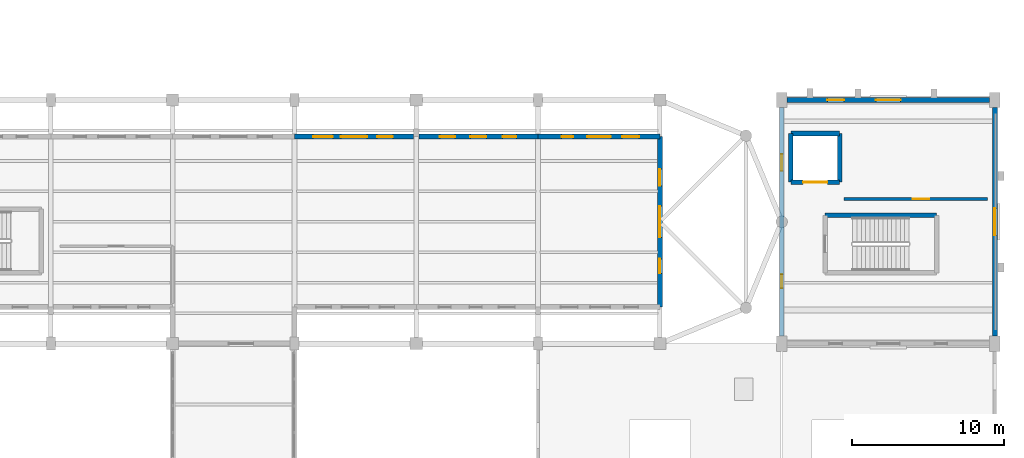
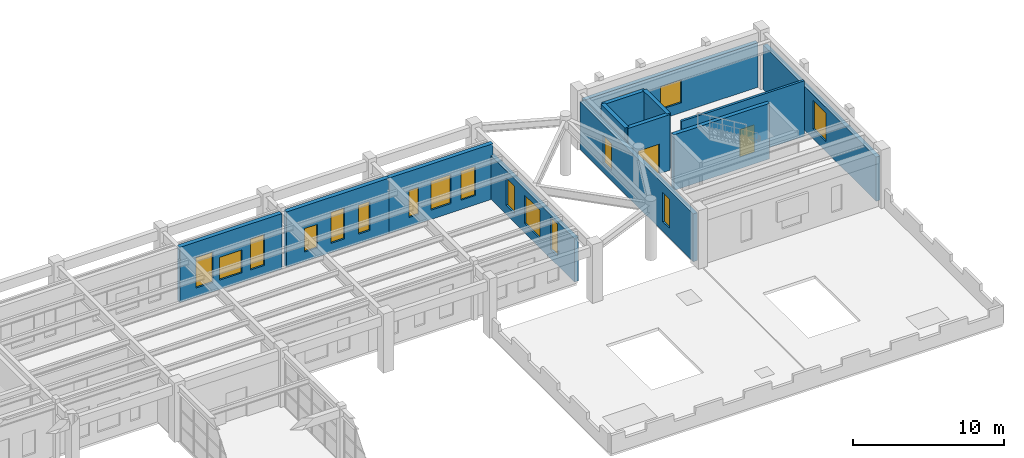
# One storey, part 47 of 59: 17 windows, 13 walls, 2 doors, 19 openings.
"""IFC4 building model written with IfcOpenShell, lengths in metres."""

from ifc_helpers import new_model, si_unit, direction, frame, frame_2d, origin, place, context, subcontext, project, spatial, rectangle, extrude, material, layer, layer_set, type_object, element, fill, save


model = new_model("IFC4")

# Units and contexts
model_context = context("Model", 3, precision=1e-05, world=origin(), true_north=direction((0.0, 1.0)))
body_context = subcontext(model_context, "Body", "Model", "MODEL_VIEW")
ifc_project = project(units=[si_unit("LENGTHUNIT", "METRE"), si_unit("AREAUNIT", "SQUARE_METRE"), si_unit("VOLUMEUNIT", "CUBIC_METRE"), si_unit("PLANEANGLEUNIT", "RADIAN"), si_unit("MASSUNIT", "GRAM", prefix="KILO")], contexts=[model_context])

# Site, building, storey
site_placement = place(None, origin())
site = spatial("IfcSite", under=ifc_project, at=site_placement, CompositionType="ELEMENT")
building_placement = place(site_placement, origin())
building = spatial("IfcBuilding", under=site, at=building_placement, Name="Serraluz Foothill Cableway Terminal", CompositionType="ELEMENT")
storey_placement = place(building_placement, frame((0.0, 0.0, 4.800048828125)))
storey = spatial("IfcBuildingStorey", under=building, at=storey_placement, Name="L01", CompositionType="ELEMENT", Elevation=4.800048828125)

# Wall, openings, windows
ifc_material_1 = material(Name="Dark clinker clay masonry brick (f'm 14 MPa)", Category="masonry")
ifc_layer_1 = layer(ifc_material_1, 0.320068359375, Name="Dark clinker clay masonry brick (f'm 14 MPa)", Category="masonry")
ifc_layer_set_1 = layer_set([ifc_layer_1], Name="Dark clinker clay masonry brick (f'm 14 MPa)")
wall_type_1 = type_object("IfcWallType", Name="TYP-WL-EXT-320", PredefinedType="STANDARD", material=ifc_layer_set_1)
wall_1_placement = place(storey_placement, frame((128.0, 69.60009765625, 0.0), z_axis=(0.0, 0.0, 1.0), x_axis=(1.0, 0.0, 0.0)))
wall_1 = element("IfcWall", 1, at=wall_1_placement, inside=storey, type_object=wall_type_1, Name="Exterior Masonry Wall EW-V1N-L01-128", PredefinedType="STANDARD", context=body_context, shape_type="SweptSolid", body=[
    extrude(rectangle(XDim=7.824951171875, YDim=0.320068359375, at=frame_2d((3.91259765625, 0.0))), origin(), (0.0, 0.0, 1.0), 4.474853515625),
])
opening_1_placement = place(wall_1_placement, frame((1.22802734375, 0.0, 0.75)))
opening_1 = element("IfcOpeningElement", 2, at=opening_1_placement, cuts=wall_1, Name="Opening W-40", PredefinedType="OPENING", context=body_context, shape_type="SweptSolid", body=[
    extrude(rectangle(XDim=1.300048828125, YDim=2.449951171875, at=frame_2d((0.64990234375, 1.22509765625))), frame((0.0, 0.169921875, 0.0), z_axis=(0.0, -1.0, 0.0), x_axis=(1.0, 0.0, 0.0)), (0.0, 0.0, 1.0), 0.340087890625),
])
opening_2_placement = place(wall_1_placement, frame((3.052001953125, 0.0, 0.75)))
opening_2 = element("IfcOpeningElement", 3, at=opening_2_placement, cuts=wall_1, Name="Opening W-35", PredefinedType="OPENING", context=body_context, shape_type="SweptSolid", body=[
    extrude(rectangle(XDim=1.720947265625, YDim=1.85009765625, at=frame_2d((0.8603515625, 0.925048828125))), frame((0.0, 0.169921875, 0.0), z_axis=(0.0, -1.0, 0.0), x_axis=(1.0, 0.0, 0.0)), (0.0, 0.0, 1.0), 0.340087890625),
])
opening_3_placement = place(wall_1_placement, frame((5.422119140625, 0.0, 0.75)))
opening_3 = element("IfcOpeningElement", 4, at=opening_3_placement, cuts=wall_1, Name="Opening W-38", PredefinedType="OPENING", context=body_context, shape_type="SweptSolid", body=[
    extrude(rectangle(XDim=1.050048828125, YDim=2.5, at=frame_2d((0.52490234375, 1.25))), frame((0.0, 0.169921875, 0.0), z_axis=(0.0, -1.0, 0.0), x_axis=(1.0, 0.0, 0.0)), (0.0, 0.0, 1.0), 0.340087890625),
])
ifc_material_2 = material(Name="Laminated low-E safety glass", Category="glass")
window_type_1 = type_object("IfcWindowType", Name="TYP-WN-105X250", PartitioningType="SINGLE_PANEL", PredefinedType="WINDOW", material=ifc_material_2)
window_1_placement = place(opening_3_placement, origin())
window_1 = element("IfcWindow", 5, at=window_1_placement, inside=storey, type_object=window_type_1, Name="Exterior Window EW-V1N-L01-128-WN3", OverallHeight=2.5, OverallWidth=1.050048828125, PartitioningType="SINGLE_PANEL", PredefinedType="WINDOW", context=body_context, shape_type="SweptSolid", body=[
    extrude(rectangle(XDim=1.050048828125, YDim=2.5, at=frame_2d((0.52490234375, 1.25))), frame((0.0, 0.030029296875, 0.0), z_axis=(0.0, -1.0, 0.0), x_axis=(1.0, 0.0, 0.0)), (0.0, 0.0, 1.0), 0.06005859375),
])
fill(opening_3, window_1)
window_type_2 = type_object("IfcWindowType", Name="TYP-WN-130X245", PartitioningType="DOUBLE_PANEL_VERTICAL", PredefinedType="WINDOW", material=ifc_material_2)
window_2_placement = place(opening_1_placement, origin())
window_2 = element("IfcWindow", 6, at=window_2_placement, inside=storey, type_object=window_type_2, Name="Exterior Window EW-V1N-L01-128-WN1", OverallHeight=2.449951171875, OverallWidth=1.300048828125, PartitioningType="SINGLE_PANEL", PredefinedType="WINDOW", context=body_context, shape_type="SweptSolid", body=[
    extrude(rectangle(XDim=1.300048828125, YDim=2.449951171875, at=frame_2d((0.64990234375, 1.22509765625))), frame((0.0, 0.030029296875, 0.0), z_axis=(0.0, -1.0, 0.0), x_axis=(1.0, 0.0, 0.0)), (0.0, 0.0, 1.0), 0.06005859375),
])
fill(opening_1, window_2)
window_type_3 = type_object("IfcWindowType", Name="TYP-WN-440X185", PartitioningType="TRIPLE_PANEL_VERTICAL", PredefinedType="WINDOW", material=ifc_material_2)
window_3_placement = place(opening_2_placement, origin())
window_3 = element("IfcWindow", 7, at=window_3_placement, inside=storey, type_object=window_type_3, Name="Exterior Window EW-V1N-L01-128-WN2", OverallHeight=1.85009765625, OverallWidth=1.720947265625, PartitioningType="SINGLE_PANEL", PredefinedType="WINDOW", context=body_context, shape_type="SweptSolid", body=[
    extrude(rectangle(XDim=1.720947265625, YDim=1.85009765625, at=frame_2d((0.8603515625, 0.925048828125))), frame((0.0, 0.030029296875, 0.0), z_axis=(0.0, -1.0, 0.0), x_axis=(1.0, 0.0, 0.0)), (0.0, 0.0, 1.0), 0.06005859375),
])
fill(opening_2, window_3)

wall_2_placement = place(storey_placement, frame((136.175048828125, 69.60009765625, 0.0), z_axis=(0.0, 0.0, 1.0), x_axis=(1.0, 0.0, 0.0)))
wall_2 = element("IfcWall", 8, at=wall_2_placement, inside=storey, type_object=wall_type_1, Name="Exterior Masonry Wall EW-V1N-L01-136", PredefinedType="STANDARD", context=body_context, shape_type="SweptSolid", body=[
    extrude(rectangle(XDim=7.824951171875, YDim=0.320068359375, at=frame_2d((3.91259765625, 0.0))), origin(), (0.0, 0.0, 1.0), 4.474853515625),
])
opening_4_placement = place(wall_2_placement, frame((1.3779296875, 0.0, 0.75)))
opening_4 = element("IfcOpeningElement", 9, at=opening_4_placement, cuts=wall_2, Name="Opening W-24", PredefinedType="OPENING", context=body_context, shape_type="SweptSolid", body=[
    extrude(rectangle(XDim=1.0, YDim=1.89990234375, at=frame_2d((0.5, 0.949951171875))), frame((0.0, 0.169921875, 0.0), z_axis=(0.0, -1.0, 0.0), x_axis=(1.0, 0.0, 0.0)), (0.0, 0.0, 1.0), 0.340087890625),
])
opening_5_placement = place(wall_2_placement, frame((3.387451171875, 0.0, 0.75)))
opening_5 = element("IfcOpeningElement", 10, at=opening_5_placement, cuts=wall_2, Name="Opening W-38", PredefinedType="OPENING", context=body_context, shape_type="SweptSolid", body=[
    extrude(rectangle(XDim=1.050048828125, YDim=2.5, at=frame_2d((0.52490234375, 1.25))), frame((0.0, 0.169921875, 0.0), z_axis=(0.0, -1.0, 0.0), x_axis=(1.0, 0.0, 0.0)), (0.0, 0.0, 1.0), 0.340087890625),
])
opening_6_placement = place(wall_2_placement, frame((5.4970703125, 0.0, 0.75)))
opening_6 = element("IfcOpeningElement", 11, at=opening_6_placement, cuts=wall_2, Name="Opening W-37", PredefinedType="OPENING", context=body_context, shape_type="SweptSolid", body=[
    extrude(rectangle(XDim=0.89990234375, YDim=2.35009765625, at=frame_2d((0.449951171875, 1.175048828125))), frame((0.0, 0.169921875, 0.0), z_axis=(0.0, -1.0, 0.0), x_axis=(1.0, 0.0, 0.0)), (0.0, 0.0, 1.0), 0.340087890625),
])
window_type_4 = type_object("IfcWindowType", Name="TYP-WN-090X235", PartitioningType="SINGLE_PANEL", PredefinedType="WINDOW", material=ifc_material_2)
window_4_placement = place(opening_6_placement, origin())
window_4 = element("IfcWindow", 12, at=window_4_placement, inside=storey, type_object=window_type_4, Name="Exterior Window EW-V1N-L01-136-WN3", OverallHeight=2.35009765625, OverallWidth=0.89990234375, PartitioningType="SINGLE_PANEL", PredefinedType="WINDOW", context=body_context, shape_type="SweptSolid", body=[
    extrude(rectangle(XDim=0.89990234375, YDim=2.35009765625, at=frame_2d((0.449951171875, 1.175048828125))), frame((0.0, 0.030029296875, 0.0), z_axis=(0.0, -1.0, 0.0), x_axis=(1.0, 0.0, 0.0)), (0.0, 0.0, 1.0), 0.06005859375),
])
fill(opening_6, window_4)
window_type_5 = type_object("IfcWindowType", Name="TYP-WN-100X190", PartitioningType="SINGLE_PANEL", PredefinedType="WINDOW", material=ifc_material_2)
window_5_placement = place(opening_4_placement, origin())
window_5 = element("IfcWindow", 13, at=window_5_placement, inside=storey, type_object=window_type_5, Name="Exterior Window EW-V1N-L01-136-WN1", OverallHeight=1.89990234375, OverallWidth=1.0, PartitioningType="SINGLE_PANEL", PredefinedType="WINDOW", context=body_context, shape_type="SweptSolid", body=[
    extrude(rectangle(XDim=1.0, YDim=1.89990234375, at=frame_2d((0.5, 0.949951171875))), frame((0.0, 0.030029296875, 0.0), z_axis=(0.0, -1.0, 0.0), x_axis=(1.0, 0.0, 0.0)), (0.0, 0.0, 1.0), 0.06005859375),
])
fill(opening_4, window_5)
window_6_placement = place(opening_5_placement, origin())
window_6 = element("IfcWindow", 14, at=window_6_placement, inside=storey, type_object=window_type_1, Name="Exterior Window EW-V1N-L01-136-WN2", OverallHeight=2.5, OverallWidth=1.050048828125, PartitioningType="SINGLE_PANEL", PredefinedType="WINDOW", context=body_context, shape_type="SweptSolid", body=[
    extrude(rectangle(XDim=1.050048828125, YDim=2.5, at=frame_2d((0.52490234375, 1.25))), frame((0.0, 0.030029296875, 0.0), z_axis=(0.0, -1.0, 0.0), x_axis=(1.0, 0.0, 0.0)), (0.0, 0.0, 1.0), 0.06005859375),
])
fill(opening_5, window_6)

wall_3_placement = place(storey_placement, frame((144.0, 69.60009765625, 0.0), z_axis=(0.0, 0.0, 1.0), x_axis=(1.0, 0.0, 0.0)))
wall_3 = element("IfcWall", 15, at=wall_3_placement, inside=storey, type_object=wall_type_1, Name="Exterior Masonry Wall EW-V1N-L01-144", PredefinedType="STANDARD", context=body_context, shape_type="SweptSolid", body=[
    extrude(rectangle(XDim=8.0, YDim=0.320068359375, at=frame_2d((4.0, 0.0))), origin(), (0.0, 0.0, 1.0), 4.474853515625),
])
opening_7_placement = place(wall_3_placement, frame((1.544921875, 0.0, 0.75)))
opening_7 = element("IfcOpeningElement", 16, at=opening_7_placement, cuts=wall_3, Name="Opening W-01", PredefinedType="OPENING", context=body_context, shape_type="SweptSolid", body=[
    extrude(rectangle(XDim=0.75, YDim=2.199951171875, at=frame_2d((0.375, 1.10009765625))), frame((0.0, 0.169921875, 0.0), z_axis=(0.0, -1.0, 0.0), x_axis=(1.0, 0.0, 0.0)), (0.0, 0.0, 1.0), 0.340087890625),
])
opening_8_placement = place(wall_3_placement, frame((3.22509765625, 0.0, 0.75)))
opening_8 = element("IfcOpeningElement", 17, at=opening_8_placement, cuts=wall_3, Name="Opening W-42", PredefinedType="OPENING", context=body_context, shape_type="SweptSolid", body=[
    extrude(rectangle(XDim=1.550048828125, YDim=2.35009765625, at=frame_2d((0.77490234375, 1.175048828125))), frame((0.0, 0.169921875, 0.0), z_axis=(0.0, -1.0, 0.0), x_axis=(1.0, 0.0, 0.0)), (0.0, 0.0, 1.0), 0.340087890625),
])
opening_9_placement = place(wall_3_placement, frame((5.52001953125, 0.0, 0.75)))
opening_9 = element("IfcOpeningElement", 18, at=opening_9_placement, cuts=wall_3, Name="Opening W-50", PredefinedType="OPENING", context=body_context, shape_type="SweptSolid", body=[
    extrude(rectangle(XDim=1.1201171875, YDim=2.35009765625, at=frame_2d((0.56005859375, 1.175048828125))), frame((0.0, 0.169921875, 0.0), z_axis=(0.0, -1.0, 0.0), x_axis=(1.0, 0.0, 0.0)), (0.0, 0.0, 1.0), 0.340087890625),
])
window_type_6 = type_object("IfcWindowType", Name="TYP-WN-075X220", PartitioningType="SINGLE_PANEL", PredefinedType="WINDOW", material=ifc_material_2)
window_7_placement = place(opening_7_placement, origin())
window_7 = element("IfcWindow", 19, at=window_7_placement, inside=storey, type_object=window_type_6, Name="Exterior Window EW-V1N-L01-144-WN1", OverallHeight=2.199951171875, OverallWidth=0.75, PartitioningType="SINGLE_PANEL", PredefinedType="WINDOW", context=body_context, shape_type="SweptSolid", body=[
    extrude(rectangle(XDim=0.75, YDim=2.199951171875, at=frame_2d((0.375, 1.10009765625))), frame((0.0, 0.030029296875, 0.0), z_axis=(0.0, -1.0, 0.0), x_axis=(1.0, 0.0, 0.0)), (0.0, 0.0, 1.0), 0.06005859375),
])
fill(opening_7, window_7)
window_type_7 = type_object("IfcWindowType", Name="TYP-WN-112X235", PartitioningType="SINGLE_PANEL", PredefinedType="WINDOW", material=ifc_material_2)
window_8_placement = place(opening_9_placement, origin())
window_8 = element("IfcWindow", 20, at=window_8_placement, inside=storey, type_object=window_type_7, Name="Exterior Window EW-V1N-L01-144-WN3", OverallHeight=2.35009765625, OverallWidth=1.1201171875, PartitioningType="SINGLE_PANEL", PredefinedType="WINDOW", context=body_context, shape_type="SweptSolid", body=[
    extrude(rectangle(XDim=1.1201171875, YDim=2.35009765625, at=frame_2d((0.56005859375, 1.175048828125))), frame((0.0, 0.030029296875, 0.0), z_axis=(0.0, -1.0, 0.0), x_axis=(1.0, 0.0, 0.0)), (0.0, 0.0, 1.0), 0.06005859375),
])
fill(opening_9, window_8)
window_type_8 = type_object("IfcWindowType", Name="TYP-WN-155X235", PartitioningType="DOUBLE_PANEL_VERTICAL", PredefinedType="WINDOW", material=ifc_material_2)
window_9_placement = place(opening_8_placement, origin())
window_9 = element("IfcWindow", 21, at=window_9_placement, inside=storey, type_object=window_type_8, Name="Exterior Window EW-V1N-L01-144-WN2", OverallHeight=2.35009765625, OverallWidth=1.550048828125, PartitioningType="SINGLE_PANEL", PredefinedType="WINDOW", context=body_context, shape_type="SweptSolid", body=[
    extrude(rectangle(XDim=1.550048828125, YDim=2.35009765625, at=frame_2d((0.77490234375, 1.175048828125))), frame((0.0, 0.030029296875, 0.0), z_axis=(0.0, -1.0, 0.0), x_axis=(1.0, 0.0, 0.0)), (0.0, 0.0, 1.0), 0.06005859375),
])
fill(opening_8, window_9)

wall_4_placement = place(storey_placement, frame((152.0, 69.60009765625, 0.0), z_axis=(0.0, 0.0, 1.0), x_axis=(0.0, -1.0, 0.0)))
wall_4 = element("IfcWall", 22, at=wall_4_placement, inside=storey, type_object=wall_type_1, Name="Exterior Masonry Wall EW-V1E-L01-PORTAL", PredefinedType="STANDARD", context=body_context, shape_type="SweptSolid", body=[
    extrude(rectangle(XDim=11.2001953125, YDim=0.320068359375, at=frame_2d((5.60009765625, 0.0))), origin(), (0.0, 0.0, 1.0), 3.5478515625),
])
opening_10_placement = place(wall_4_placement, frame((2.137939453125, 0.0, 0.75)))
opening_10 = element("IfcOpeningElement", 23, at=opening_10_placement, cuts=wall_4, Name="Opening W-04", PredefinedType="OPENING", context=body_context, shape_type="SweptSolid", body=[
    extrude(rectangle(XDim=1.10009765625, YDim=2.199951171875, at=frame_2d((0.550048828125, 1.10009765625))), frame((0.0, 0.169921875, 0.0), z_axis=(0.0, -1.0, 0.0), x_axis=(1.0, 0.0, 0.0)), (0.0, 0.0, 1.0), 0.340087890625),
])
opening_11_placement = place(wall_4_placement, frame((4.574951171875, 0.0, 0.75)))
opening_11 = element("IfcOpeningElement", 24, at=opening_11_placement, cuts=wall_4, Name="Opening W-45", PredefinedType="OPENING", context=body_context, shape_type="SweptSolid", body=[
    extrude(rectangle(XDim=2.050048828125, YDim=2.300048828125, at=frame_2d((1.02490234375, 1.14990234375))), frame((0.0, 0.169921875, 0.0), z_axis=(0.0, -1.0, 0.0), x_axis=(1.0, 0.0, 0.0)), (0.0, 0.0, 1.0), 0.340087890625),
])
opening_12_placement = place(wall_4_placement, frame((8.037109375, 0.0, 0.75)))
opening_12 = element("IfcOpeningElement", 25, at=opening_12_placement, cuts=wall_4, Name="Opening W-03", PredefinedType="OPENING", context=body_context, shape_type="SweptSolid", body=[
    extrude(rectangle(XDim=0.949951171875, YDim=2.60009765625, at=frame_2d((0.47509765625, 1.300048828125))), frame((0.0, 0.169921875, 0.0), z_axis=(0.0, -1.0, 0.0), x_axis=(1.0, 0.0, 0.0)), (0.0, 0.0, 1.0), 0.340087890625),
])
window_type_9 = type_object("IfcWindowType", Name="TYP-WN-095X260", PartitioningType="SINGLE_PANEL", PredefinedType="WINDOW", material=ifc_material_2)
window_10_placement = place(opening_12_placement, origin())
window_10 = element("IfcWindow", 26, at=window_10_placement, inside=storey, type_object=window_type_9, Name="Exterior Window EW-V1E-L01-PORTAL-WN3", OverallHeight=2.60009765625, OverallWidth=0.949951171875, PartitioningType="SINGLE_PANEL", PredefinedType="WINDOW", context=body_context, shape_type="SweptSolid", body=[
    extrude(rectangle(XDim=0.949951171875, YDim=2.60009765625, at=frame_2d((0.47509765625, 1.300048828125))), frame((0.0, 0.030029296875, 0.0), z_axis=(0.0, -1.0, 0.0), x_axis=(1.0, 0.0, 0.0)), (0.0, 0.0, 1.0), 0.06005859375),
])
fill(opening_12, window_10)
window_type_10 = type_object("IfcWindowType", Name="TYP-WN-110X220", PartitioningType="SINGLE_PANEL", PredefinedType="WINDOW", material=ifc_material_2)
window_11_placement = place(opening_10_placement, origin())
window_11 = element("IfcWindow", 27, at=window_11_placement, inside=storey, type_object=window_type_10, Name="Exterior Window EW-V1E-L01-PORTAL-WN1", OverallHeight=2.199951171875, OverallWidth=1.10009765625, PartitioningType="SINGLE_PANEL", PredefinedType="WINDOW", context=body_context, shape_type="SweptSolid", body=[
    extrude(rectangle(XDim=1.10009765625, YDim=2.199951171875, at=frame_2d((0.550048828125, 1.10009765625))), frame((0.0, 0.030029296875, 0.0), z_axis=(0.0, -1.0, 0.0), x_axis=(1.0, 0.0, 0.0)), (0.0, 0.0, 1.0), 0.06005859375),
])
fill(opening_10, window_11)
window_type_11 = type_object("IfcWindowType", Name="TYP-WN-205X230", PartitioningType="TRIPLE_PANEL_VERTICAL", PredefinedType="WINDOW", material=ifc_material_2)
window_12_placement = place(opening_11_placement, origin())
window_12 = element("IfcWindow", 28, at=window_12_placement, inside=storey, type_object=window_type_11, Name="Exterior Window EW-V1E-L01-PORTAL-WN2", OverallHeight=2.300048828125, OverallWidth=2.050048828125, PartitioningType="SINGLE_PANEL", PredefinedType="WINDOW", context=body_context, shape_type="SweptSolid", body=[
    extrude(rectangle(XDim=2.050048828125, YDim=2.300048828125, at=frame_2d((1.02490234375, 1.14990234375))), frame((0.0, 0.030029296875, 0.0), z_axis=(0.0, -1.0, 0.0), x_axis=(1.0, 0.0, 0.0)), (0.0, 0.0, 1.0), 0.06005859375),
])
fill(opening_11, window_12)

wall_5_placement = place(storey_placement, frame((160.0, 56.5, 0.0), z_axis=(0.0, 0.0, 1.0), x_axis=(0.0, 1.0, 0.0)))
wall_5 = element("IfcWall", 29, at=wall_5_placement, inside=storey, type_object=wall_type_1, Name="Exterior Masonry Wall EW-V2-L01-05", PredefinedType="STANDARD", context=body_context, shape_type="SweptSolid", body=[
    extrude(rectangle(XDim=15.0, YDim=0.320068359375, at=frame_2d((7.5, 0.0))), origin(), (0.0, 0.0, 1.0), 3.884033203125),
])
opening_13_placement = place(wall_5_placement, frame((3.14990234375, 0.0, 0.800048828125)))
opening_13 = element("IfcOpeningElement", 30, at=opening_13_placement, cuts=wall_5, Name="Opening W-37", PredefinedType="OPENING", context=body_context, shape_type="SweptSolid", body=[
    extrude(rectangle(XDim=0.89990234375, YDim=2.35009765625, at=frame_2d((0.449951171875, 1.175048828125))), frame((0.0, 0.169921875, 0.0), z_axis=(0.0, -1.0, 0.0), x_axis=(1.0, 0.0, 0.0)), (0.0, 0.0, 1.0), 0.340087890625),
])
opening_14_placement = place(wall_5_placement, frame((10.85009765625, 0.0, 0.800048828125)))
opening_14 = element("IfcOpeningElement", 31, at=opening_14_placement, cuts=wall_5, Name="Opening W-04", PredefinedType="OPENING", context=body_context, shape_type="SweptSolid", body=[
    extrude(rectangle(XDim=1.10009765625, YDim=2.199951171875, at=frame_2d((0.550048828125, 1.10009765625))), frame((0.0, 0.169921875, 0.0), z_axis=(0.0, -1.0, 0.0), x_axis=(1.0, 0.0, 0.0)), (0.0, 0.0, 1.0), 0.340087890625),
])
window_13_placement = place(opening_13_placement, origin())
window_13 = element("IfcWindow", 32, at=window_13_placement, inside=storey, type_object=window_type_4, Name="Exterior Window EW-V2-L01-05-WN1", OverallHeight=2.35009765625, OverallWidth=0.89990234375, PartitioningType="SINGLE_PANEL", PredefinedType="WINDOW", context=body_context, shape_type="SweptSolid", body=[
    extrude(rectangle(XDim=0.89990234375, YDim=2.35009765625, at=frame_2d((0.449951171875, 1.175048828125))), frame((0.0, 0.030029296875, 0.0), z_axis=(0.0, -1.0, 0.0), x_axis=(1.0, 0.0, 0.0)), (0.0, 0.0, 1.0), 0.06005859375),
])
fill(opening_13, window_13)
window_14_placement = place(opening_14_placement, origin())
window_14 = element("IfcWindow", 33, at=window_14_placement, inside=storey, type_object=window_type_10, Name="Exterior Window EW-V2-L01-05-WN3", OverallHeight=2.199951171875, OverallWidth=1.10009765625, PartitioningType="SINGLE_PANEL", PredefinedType="WINDOW", context=body_context, shape_type="SweptSolid", body=[
    extrude(rectangle(XDim=1.10009765625, YDim=2.199951171875, at=frame_2d((0.550048828125, 1.10009765625))), frame((0.0, 0.030029296875, 0.0), z_axis=(0.0, -1.0, 0.0), x_axis=(1.0, 0.0, 0.0)), (0.0, 0.0, 1.0), 0.06005859375),
])
fill(opening_14, window_14)

wall_6_placement = place(storey_placement, frame((160.35009765625, 72.0, 0.0), z_axis=(0.0, 0.0, 1.0), x_axis=(1.0, 0.0, 0.0)))
wall_6 = element("IfcWall", 34, at=wall_6_placement, inside=storey, type_object=wall_type_1, Name="Exterior Masonry Wall EW-V2-L01-10", PredefinedType="STANDARD", context=body_context, shape_type="SweptSolid", body=[
    extrude(rectangle(XDim=13.2998046875, YDim=0.320068359375, at=frame_2d((6.64990234375, 0.0))), origin(), (0.0, 0.0, 1.0), 3.599853515625),
])
opening_15_placement = place(wall_6_placement, frame((2.64208984375, 0.0, 0.800048828125)))
opening_15 = element("IfcOpeningElement", 35, at=opening_15_placement, cuts=wall_6, Name="Opening W-04", PredefinedType="OPENING", context=body_context, shape_type="SweptSolid", body=[
    extrude(rectangle(XDim=1.10009765625, YDim=2.199951171875, at=frame_2d((0.550048828125, 1.10009765625))), frame((0.0, 0.169921875, 0.0), z_axis=(0.0, -1.0, 0.0), x_axis=(1.0, 0.0, 0.0)), (0.0, 0.0, 1.0), 0.340087890625),
])
opening_16_placement = place(wall_6_placement, frame((5.840087890625, 0.0, 0.800048828125)))
opening_16 = element("IfcOpeningElement", 36, at=opening_16_placement, cuts=wall_6, Name="Opening W-54", PredefinedType="OPENING", context=body_context, shape_type="SweptSolid", body=[
    extrude(rectangle(XDim=1.6201171875, YDim=1.85009765625, at=frame_2d((0.81005859375, 0.925048828125))), frame((0.0, 0.169921875, 0.0), z_axis=(0.0, -1.0, 0.0), x_axis=(1.0, 0.0, 0.0)), (0.0, 0.0, 1.0), 0.340087890625),
])
window_15_placement = place(opening_15_placement, origin())
window_15 = element("IfcWindow", 37, at=window_15_placement, inside=storey, type_object=window_type_10, Name="Exterior Window EW-V2-L01-10-WN1", OverallHeight=2.199951171875, OverallWidth=1.10009765625, PartitioningType="SINGLE_PANEL", PredefinedType="WINDOW", context=body_context, shape_type="SweptSolid", body=[
    extrude(rectangle(XDim=1.10009765625, YDim=2.199951171875, at=frame_2d((0.550048828125, 1.10009765625))), frame((0.0, 0.030029296875, 0.0), z_axis=(0.0, -1.0, 0.0), x_axis=(1.0, 0.0, 0.0)), (0.0, 0.0, 1.0), 0.06005859375),
])
fill(opening_15, window_15)
window_type_12 = type_object("IfcWindowType", Name="TYP-WN-162X185", PartitioningType="DOUBLE_PANEL_VERTICAL", PredefinedType="WINDOW", material=ifc_material_2)
window_16_placement = place(opening_16_placement, origin())
window_16 = element("IfcWindow", 38, at=window_16_placement, inside=storey, type_object=window_type_12, Name="Exterior Window EW-V2-L01-10-WN2", OverallHeight=1.85009765625, OverallWidth=1.6201171875, PartitioningType="SINGLE_PANEL", PredefinedType="WINDOW", context=body_context, shape_type="SweptSolid", body=[
    extrude(rectangle(XDim=1.6201171875, YDim=1.85009765625, at=frame_2d((0.81005859375, 0.925048828125))), frame((0.0, 0.030029296875, 0.0), z_axis=(0.0, -1.0, 0.0), x_axis=(1.0, 0.0, 0.0)), (0.0, 0.0, 1.0), 0.06005859375),
])
fill(opening_16, window_16)

# Wall, opening, window
wall_7_placement = place(storey_placement, frame((174.0, 71.5, 0.0), z_axis=(0.0, 0.0, 1.0), x_axis=(0.0, -1.0, 0.0)))
wall_7 = element("IfcWall", 39, at=wall_7_placement, inside=storey, type_object=wall_type_1, Name="Exterior Masonry Wall EW-V2-L01-11", PredefinedType="STANDARD", context=body_context, shape_type="SweptSolid", body=[
    extrude(rectangle(XDim=15.0, YDim=0.320068359375, at=frame_2d((7.5, 0.0))), origin(), (0.0, 0.0, 1.0), 3.572998046875),
])
opening_17_placement = place(wall_7_placement, frame((6.610107421875, 0.0, 0.800048828125)))
opening_17 = element("IfcOpeningElement", 40, at=opening_17_placement, cuts=wall_7, Name="Opening W-55", PredefinedType="OPENING", context=body_context, shape_type="SweptSolid", body=[
    extrude(rectangle(XDim=1.780029296875, YDim=2.300048828125, at=frame_2d((0.89013671875, 1.14990234375))), frame((0.0, 0.169921875, 0.0), z_axis=(0.0, -1.0, 0.0), x_axis=(1.0, 0.0, 0.0)), (0.0, 0.0, 1.0), 0.340087890625),
])
window_type_13 = type_object("IfcWindowType", Name="TYP-WN-178X230", PartitioningType="DOUBLE_PANEL_VERTICAL", PredefinedType="WINDOW", material=ifc_material_2)
window_17_placement = place(opening_17_placement, origin())
window_17 = element("IfcWindow", 41, at=window_17_placement, inside=storey, type_object=window_type_13, Name="Exterior Window EW-V2-L01-11-WN2", OverallHeight=2.300048828125, OverallWidth=1.780029296875, PartitioningType="SINGLE_PANEL", PredefinedType="WINDOW", context=body_context, shape_type="SweptSolid", body=[
    extrude(rectangle(XDim=1.780029296875, YDim=2.300048828125, at=frame_2d((0.89013671875, 1.14990234375))), frame((0.0, 0.030029296875, 0.0), z_axis=(0.0, -1.0, 0.0), x_axis=(1.0, 0.0, 0.0)), (0.0, 0.0, 1.0), 0.06005859375),
])
fill(opening_17, window_17)

# Wall, opening, door
ifc_material_3 = material(Name="Fired clay masonry brick (f'm 12 MPa)", Category="masonry")
ifc_layer_2 = layer(ifc_material_3, 0.179931640625, Name="Fired clay masonry brick (f'm 12 MPa)", Category="masonry")
ifc_layer_set_2 = layer_set([ifc_layer_2], Name="Fired clay masonry brick (f'm 12 MPa)")
wall_type_2 = type_object("IfcWallType", Name="TYP-WL-PRT-180", PredefinedType="PARTITIONING", material=ifc_layer_set_2)
wall_8_placement = place(storey_placement, frame((164.10009765625, 65.5, 0.0), z_axis=(0.0, 0.0, 1.0), x_axis=(1.0, 0.0, 0.0)))
wall_8 = element("IfcWall", 42, at=wall_8_placement, inside=storey, type_object=wall_type_2, Name="Interior Partition PT-L01-V2P", PredefinedType="PARTITIONING", context=body_context, shape_type="SweptSolid", body=[
    extrude(rectangle(XDim=9.39990234375, YDim=0.179931640625, at=frame_2d((4.699951171875, 0.0))), origin(), (0.0, 0.0, 1.0), 4.47998046875),
])
opening_18_placement = place(wall_8_placement, frame((4.5, 0.0, 0.0)))
opening_18 = element("IfcOpeningElement", 43, at=opening_18_placement, cuts=wall_8, Name="Opening DF-03", PredefinedType="OPENING", context=body_context, shape_type="SweptSolid", body=[
    extrude(rectangle(XDim=1.10009765625, YDim=2.199951171875, at=frame_2d((0.550048828125, 1.10009765625))), frame((0.0, 0.10009765625, 0.0), z_axis=(0.0, -1.0, 0.0), x_axis=(1.0, 0.0, 0.0)), (0.0, 0.0, 1.0), 0.199951171875),
])
ifc_material_4 = material(Name="Galvanized hollow-metal steel sheet", Category="steel")
door_type_1 = type_object("IfcDoorType", Name="TYP-DR-FD30-1100", OperationType="NOTDEFINED", PredefinedType="DOOR", material=ifc_material_4)
door_1_placement = place(opening_18_placement, origin())
door_1 = element("IfcDoor", 44, at=door_1_placement, inside=storey, type_object=door_type_1, Name="Interior Door PT-L01-V2P-DR1", OperationType="SINGLE_SWING_LEFT", OverallHeight=2.199951171875, OverallWidth=1.10009765625, PredefinedType="DOOR", context=body_context, shape_type="SweptSolid", body=[
    extrude(rectangle(XDim=1.10009765625, YDim=2.199951171875, at=frame_2d((0.550048828125, 1.10009765625))), frame((0.0, 0.02490234375, 0.0), z_axis=(0.0, -1.0, 0.0), x_axis=(1.0, 0.0, 0.0)), (0.0, 0.0, 1.0), 0.050048828125),
])
fill(opening_18, door_1)

# Wall
ifc_material_5 = material(Name="Concrete C35/45 (f'c 35 MPa)", Category="concrete")
ifc_layer_3 = layer(ifc_material_5, 0.300048828125, Name="Concrete C35/45 (f'c 35 MPa)", Category="concrete")
ifc_layer_set_3 = layer_set([ifc_layer_3], Name="Concrete C35/45 (f'c 35 MPa)")
wall_type_3 = type_object("IfcWallType", Name="TYP-WL-SHR-350", PredefinedType="SHEAR", material=ifc_layer_set_3)
wall_9_placement = place(storey_placement, frame((162.85009765625, 64.429931640625, 0.0), z_axis=(0.0, 0.0, 1.0), x_axis=(1.0, 0.0, 0.0)))
element("IfcWall", 45, at=wall_9_placement, inside=storey, type_object=wall_type_3, Name="Stair Core Shear Wall CW-ST-05-L01-N", PredefinedType="SHEAR", context=body_context, shape_type="SweptSolid", body=[
    extrude(rectangle(XDim=7.324951171875, YDim=0.300048828125, at=frame_2d((3.66259765625, 0.0))), origin(), (0.0, 0.0, 1.0), 4.5),
])

# Wall, opening, door
wall_10_placement = place(storey_placement, frame((163.800048828125, 66.60009765625, 0.0), z_axis=(0.0, 0.0, 1.0), x_axis=(-1.0, 0.0, 0.0)))
wall_10 = element("IfcWall", 46, at=wall_10_placement, inside=storey, type_object=wall_type_3, Name="Lift Shaft Shear Wall LW-LF-05-L01-S", PredefinedType="SHEAR", context=body_context, shape_type="SweptSolid", body=[
    extrude(rectangle(XDim=3.199951171875, YDim=0.300048828125, at=frame_2d((1.60009765625, 0.0))), origin(), (0.0, 0.0, 1.0), 4.5),
])
opening_19_placement = place(wall_10_placement, frame((0.800048828125, 0.0, 0.0)))
opening_19 = element("IfcOpeningElement", 47, at=opening_19_placement, cuts=wall_10, Name="Opening LD-03", PredefinedType="OPENING", context=body_context, shape_type="SweptSolid", body=[
    extrude(rectangle(XDim=1.60009765625, YDim=2.39990234375, at=frame_2d((0.800048828125, 1.199951171875))), frame((0.0, 0.16015625, 0.0), z_axis=(0.0, -1.0, 0.0), x_axis=(1.0, 0.0, 0.0)), (0.0, 0.0, 1.0), 0.320068359375),
])
door_type_2 = type_object("IfcDoorType", Name="TYP-DR-LD-1600", OperationType="DOUBLE_DOOR_SLIDING", PredefinedType="DOOR", material=ifc_material_4)
door_2_placement = place(opening_19_placement, origin())
door_2 = element("IfcDoor", 48, at=door_2_placement, inside=storey, type_object=door_type_2, Name="Lift Sliding Landing Door LF-05 L01", OperationType="DOUBLE_DOOR_SLIDING", OverallHeight=2.39990234375, OverallWidth=1.60009765625, PredefinedType="DOOR", context=body_context, shape_type="SweptSolid", body=[
    extrude(rectangle(XDim=1.60009765625, YDim=2.39990234375, at=frame_2d((0.800048828125, 1.199951171875))), frame((0.0, 0.02490234375, 0.0), z_axis=(0.0, -1.0, 0.0), x_axis=(1.0, 0.0, 0.0)), (0.0, 0.0, 1.0), 0.050048828125),
])
fill(opening_19, door_2)

# Walls
for number, where, z_axis, x_axis, name in (
    (49, (160.60009765625, 66.60009765625, 0.0), (0.0, 0.0, 1.0), (0.0, 1.0, 0.0), "Lift Shaft Shear Wall LW-LF-05-L01-W"),
    (50, (160.60009765625, 69.800048828125, 0.0), (0.0, 0.0, 1.0), (1.0, 0.0, 0.0), "Lift Shaft Shear Wall LW-LF-05-L01-N"),
    (51, (163.800048828125, 69.800048828125, 0.0), (0.0, 0.0, 1.0), (0.0, -1.0, 0.0), "Lift Shaft Shear Wall LW-LF-05-L01-E"),
):
    element("IfcWall", number, at=place(storey_placement, frame(where, z_axis=z_axis, x_axis=x_axis)), inside=storey, type_object=wall_type_3, Name=name, PredefinedType="SHEAR", context=body_context, shape_type="SweptSolid", body=[
        extrude(rectangle(XDim=3.199951171875, YDim=0.300048828125, at=frame_2d((1.60009765625, 0.0))), origin(), (0.0, 0.0, 1.0), 4.5),
    ])

save(model, "model.ifc")
